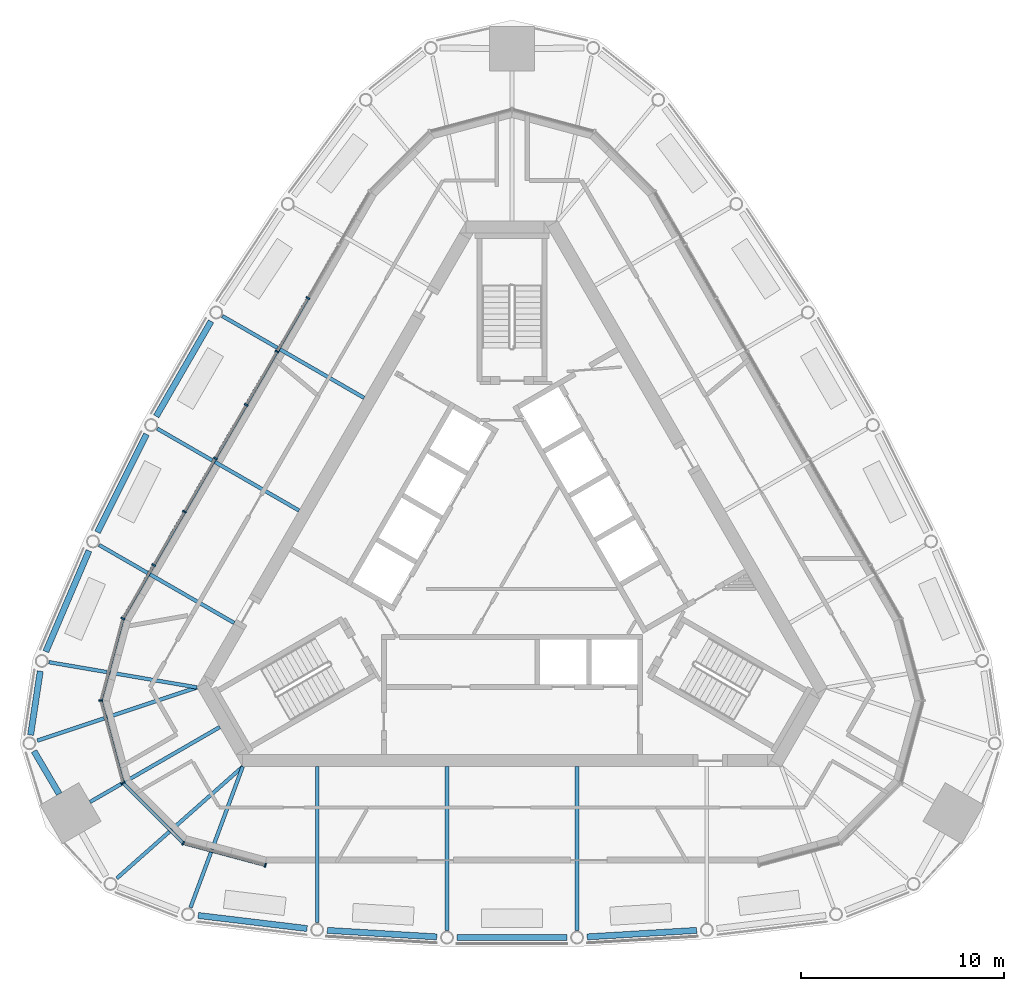
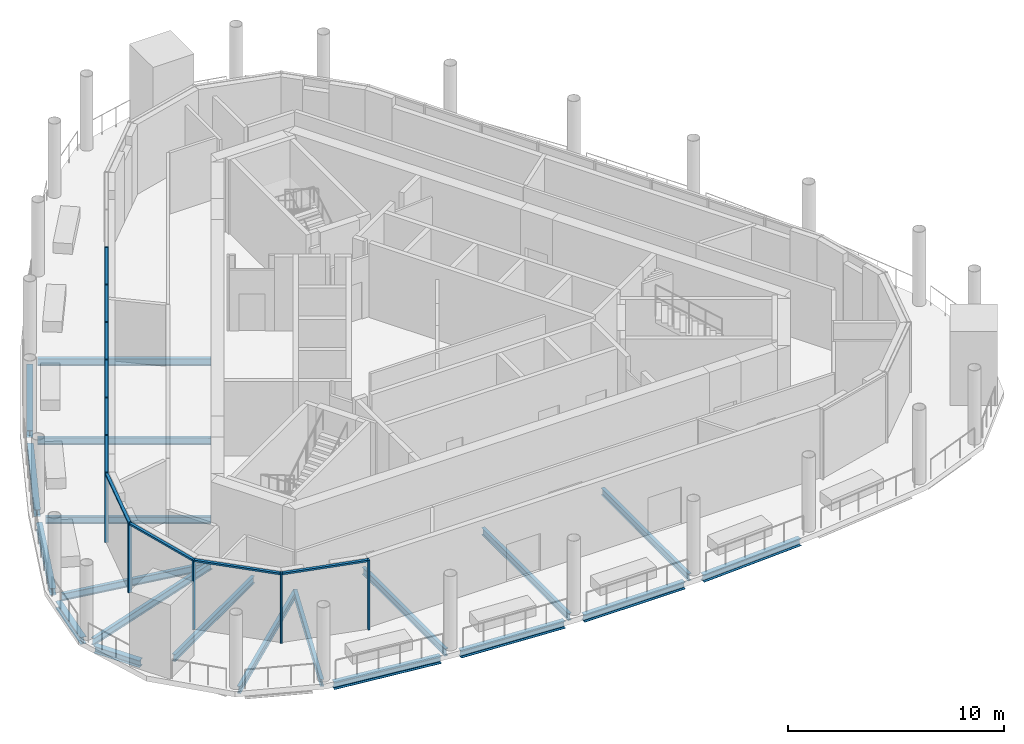
# One storey, part 2 of 15: 21 members, 20 beams, 2 elements without a shape of their own.
"""IFC4 building model written with IfcOpenShell, lengths in metres."""

from ifc_helpers import new_model, si_unit, direction, frame, origin, origin_2d, place, context, subcontext, project, spatial, rectangle, i_section, extrude, material, material_profile, profile_set, type_object, element, aggregate, save


model = new_model("IFC4")

# Units and contexts
model_context = context("Model", 3, precision=1e-05, world=origin(), true_north=direction((0.0, 1.0)))
body_context = subcontext(model_context, "Body", "Model", "MODEL_VIEW")
ifc_project = project(units=[si_unit("LENGTHUNIT", "METRE"), si_unit("AREAUNIT", "SQUARE_METRE"), si_unit("VOLUMEUNIT", "CUBIC_METRE"), si_unit("PLANEANGLEUNIT", "RADIAN"), si_unit("MASSUNIT", "GRAM", prefix="KILO")], contexts=[model_context])

# Site, building, storey
site_placement = place(None, origin())
site = spatial("IfcSite", under=ifc_project, at=site_placement, CompositionType="ELEMENT")
building_placement = place(site_placement, origin())
building = spatial("IfcBuilding", under=site, at=building_placement, Name="Mestral Congress Tower", CompositionType="ELEMENT")
storey_placement = place(building_placement, frame((0.0, 0.0, 327.60009765625)))
storey = spatial("IfcBuildingStorey", under=building, at=storey_placement, Name="L76", CompositionType="ELEMENT", Elevation=327.60009765625)

# Curtain wall, members
ifc_material_1 = material(Name="Glazed ceramic", Category="masonry")
curtain_wall_type = type_object("IfcCurtainWallType", Name="Facade plant louvre screen", PredefinedType="USERDEFINED", material=ifc_material_1)
placement = place(storey_placement, origin())
curtain_wall_1 = element("IfcCurtainWall", 1, at=placement, inside=storey, type_object=curtain_wall_type, Name="Plant louvre screen side 4", ObjectType="CURTAIN WALL", PredefinedType="USERDEFINED")
ifc_material_2 = material(Name="Anodised aluminium", Category="aluminium")
ifc_material_profile_1 = material_profile(ifc_material_2, rectangle(XDim=0.199951171875, YDim=0.080078125, at=origin_2d()), Name="CW6 mullion 200 x 80")
ifc_profile_set_1 = profile_set([ifc_material_profile_1], Name="Anodised aluminium")
member_type_1 = type_object("IfcMemberType", Name="Facade plant louvre screen mullion", PredefinedType="MULLION", material=ifc_profile_set_1)
member_1_placement = place(storey_placement, frame((-10.04248046875, 12.8056640625, 0.0), z_axis=(0.0, 0.0, 1.0), x_axis=(-0.866024531118, 0.500001511499, 0.0)))
member_1 = element("IfcMember", 2, at=member_1_placement, type_object=member_type_1, Name="Facade plant louvre screen mullion", PredefinedType="MULLION", context=body_context, shape_type="SweptSolid", body=[
    extrude(rectangle(XDim=0.199951171875, YDim=0.080078125, at=origin_2d()), origin(), (0.0, 0.0, 1.0), 3.949951171875),
])
member_2_placement = place(storey_placement, frame((-11.559814453125, 10.177978515625, 0.0), z_axis=(0.0, 0.0, 1.0), x_axis=(-0.866024531118, 0.500001511499, 0.0)))
member_2 = element("IfcMember", 3, at=member_2_placement, type_object=member_type_1, Name="Facade plant louvre screen mullion", PredefinedType="MULLION", context=body_context, shape_type="SweptSolid", body=[
    extrude(rectangle(XDim=0.199951171875, YDim=0.080078125, at=origin_2d()), origin(), (0.0, 0.0, 1.0), 3.949951171875),
])
member_3_placement = place(storey_placement, frame((-13.076904296875, 7.550048828125, 0.0), z_axis=(0.0, 0.0, 1.0), x_axis=(-0.866024531118, 0.500001511499, 0.0)))
member_3 = element("IfcMember", 4, at=member_3_placement, type_object=member_type_1, Name="Facade plant louvre screen mullion", PredefinedType="MULLION", context=body_context, shape_type="SweptSolid", body=[
    extrude(rectangle(XDim=0.199951171875, YDim=0.080078125, at=origin_2d()), origin(), (0.0, 0.0, 1.0), 3.949951171875),
])
member_4_placement = place(storey_placement, frame((-14.59423828125, 4.922119140625, 0.0), z_axis=(0.0, 0.0, 1.0), x_axis=(-0.866024531118, 0.500001511499, 0.0)))
member_4 = element("IfcMember", 5, at=member_4_placement, type_object=member_type_1, Name="Facade plant louvre screen mullion", PredefinedType="MULLION", context=body_context, shape_type="SweptSolid", body=[
    extrude(rectangle(XDim=0.199951171875, YDim=0.080078125, at=origin_2d()), origin(), (0.0, 0.0, 1.0), 3.949951171875),
])
member_5_placement = place(storey_placement, frame((-16.111328125, 2.294189453125, 0.0), z_axis=(0.0, 0.0, 1.0), x_axis=(-0.866024531118, 0.500001511499, 0.0)))
member_5 = element("IfcMember", 6, at=member_5_placement, type_object=member_type_1, Name="Facade plant louvre screen mullion", PredefinedType="MULLION", context=body_context, shape_type="SweptSolid", body=[
    extrude(rectangle(XDim=0.199951171875, YDim=0.080078125, at=origin_2d()), origin(), (0.0, 0.0, 1.0), 3.949951171875),
])
member_6_placement = place(storey_placement, frame((-17.628662109375, -0.33349609375, 0.0), z_axis=(0.0, 0.0, 1.0), x_axis=(-0.866024531118, 0.500001511499, 0.0)))
member_6 = element("IfcMember", 7, at=member_6_placement, type_object=member_type_1, Name="Facade plant louvre screen mullion", PredefinedType="MULLION", context=body_context, shape_type="SweptSolid", body=[
    extrude(rectangle(XDim=0.199951171875, YDim=0.080078125, at=origin_2d()), origin(), (0.0, 0.0, 1.0), 3.949951171875),
])
member_7_placement = place(storey_placement, frame((-19.145751953125, -2.96142578125, 0.0), z_axis=(0.0, 0.0, 1.0), x_axis=(-0.866024531118, 0.500001511499, 0.0)))
member_7 = element("IfcMember", 8, at=member_7_placement, type_object=member_type_1, Name="Facade plant louvre screen mullion", PredefinedType="MULLION", context=body_context, shape_type="SweptSolid", body=[
    extrude(rectangle(XDim=0.199951171875, YDim=0.080078125, at=origin_2d()), origin(), (0.0, 0.0, 1.0), 3.949951171875),
])

curtain_wall_2 = element("IfcCurtainWall", 9, at=placement, inside=storey, type_object=curtain_wall_type, Name="Plant louvre screen corner 5", ObjectType="CURTAIN WALL", PredefinedType="USERDEFINED")
member_8_placement = place(storey_placement, frame((-20.227783203125, -7.0, 0.0), z_axis=(0.0, 0.0, 1.0), x_axis=(-1.0, 0.0, 0.0)))
member_8 = element("IfcMember", 10, at=member_8_placement, type_object=member_type_1, Name="Facade plant louvre screen mullion", PredefinedType="MULLION", context=body_context, shape_type="SweptSolid", body=[
    extrude(rectangle(XDim=0.199951171875, YDim=0.080078125, at=origin_2d()), origin(), (0.0, 0.0, 1.0), 3.949951171875),
])
member_9_placement = place(storey_placement, frame((-19.142333984375, -11.0517578125, 0.0), z_axis=(0.0, 0.0, 1.0), x_axis=(-0.866025403784, -0.5, 0.0)))
member_9 = element("IfcMember", 11, at=member_9_placement, type_object=member_type_1, Name="Facade plant louvre screen mullion", PredefinedType="MULLION", context=body_context, shape_type="SweptSolid", body=[
    extrude(rectangle(XDim=0.199951171875, YDim=0.080078125, at=origin_2d()), origin(), (0.0, 0.0, 1.0), 3.949951171875),
])
member_10_placement = place(storey_placement, frame((-16.17626953125, -14.017822265625, 0.0), z_axis=(0.0, 0.0, 1.0), x_axis=(-0.5, -0.866025403784, 0.0)))
member_10 = element("IfcMember", 12, at=member_10_placement, type_object=member_type_1, Name="Facade plant louvre screen mullion", PredefinedType="MULLION", context=body_context, shape_type="SweptSolid", body=[
    extrude(rectangle(XDim=0.199951171875, YDim=0.080078125, at=origin_2d()), origin(), (0.0, 0.0, 1.0), 3.949951171875),
])
member_11_placement = place(storey_placement, frame((-12.1376953125, -15.10009765625, 0.0), z_axis=(0.0, 0.0, 1.0), x_axis=(-0.258819045103, -0.965925826289, 0.0)))
member_11 = element("IfcMember", 13, at=member_11_placement, type_object=member_type_1, Name="Facade plant louvre screen mullion", PredefinedType="MULLION", context=body_context, shape_type="SweptSolid", body=[
    extrude(rectangle(XDim=0.199951171875, YDim=0.080078125, at=origin_2d()), origin(), (0.0, 0.0, 1.0), 3.949951171875),
])

# Member
ifc_material_profile_2 = material_profile(ifc_material_2, rectangle(XDim=0.14990234375, YDim=0.10009765625, at=origin_2d()), Name="CW6 transom 150 x 100")
ifc_profile_set_2 = profile_set([ifc_material_profile_2], Name="Anodised aluminium")
member_type_2 = type_object("IfcMemberType", Name="Facade plant louvre screen transom", PredefinedType="USERDEFINED", material=ifc_profile_set_2)
member_12_placement = place(storey_placement, frame((-10.0625, 12.77099609375, 3.89990234375), z_axis=(-0.50002288008, -0.866012193561, 0.0), x_axis=(0.866012193561, -0.50002288008, 0.0)))
member_12 = element("IfcMember", 14, at=member_12_placement, type_object=member_type_2, Name="Facade plant louvre screen transom", ObjectType="TRANSOM", PredefinedType="USERDEFINED", context=body_context, shape_type="SweptSolid", body=[
    extrude(rectangle(XDim=0.14990234375, YDim=0.10009765625, at=origin_2d()), origin(), (0.0, 0.0, 1.0), 2.954345703125),
])

member_13_placement = place(storey_placement, frame((-11.579833984375, 10.143310546875, 3.89990234375), z_axis=(-0.499960902066, -0.86604797581, 0.0), x_axis=(0.86604797581, -0.499960902066, 0.0)))
member_13 = element("IfcMember", 15, at=member_13_placement, type_object=member_type_2, Name="Facade plant louvre screen transom", ObjectType="TRANSOM", PredefinedType="USERDEFINED", context=body_context, shape_type="SweptSolid", body=[
    extrude(rectangle(XDim=0.14990234375, YDim=0.10009765625, at=origin_2d()), origin(), (0.0, 0.0, 1.0), 2.954345703125),
])

member_14_placement = place(storey_placement, frame((-13.096923828125, 7.515380859375, 3.89990234375), z_axis=(-0.50002288008, -0.866012193561, 0.0), x_axis=(0.866012193561, -0.50002288008, 0.0)))
member_14 = element("IfcMember", 16, at=member_14_placement, type_object=member_type_2, Name="Facade plant louvre screen transom", ObjectType="TRANSOM", PredefinedType="USERDEFINED", context=body_context, shape_type="SweptSolid", body=[
    extrude(rectangle(XDim=0.14990234375, YDim=0.10009765625, at=origin_2d()), origin(), (0.0, 0.0, 1.0), 2.954345703125),
])

member_15_placement = place(storey_placement, frame((-14.6142578125, 4.887451171875, 3.89990234375), z_axis=(-0.499960902066, -0.86604797581, 0.0), x_axis=(0.86604797581, -0.499960902066, 0.0)))
member_15 = element("IfcMember", 17, at=member_15_placement, type_object=member_type_2, Name="Facade plant louvre screen transom", ObjectType="TRANSOM", PredefinedType="USERDEFINED", context=body_context, shape_type="SweptSolid", body=[
    extrude(rectangle(XDim=0.14990234375, YDim=0.10009765625, at=origin_2d()), origin(), (0.0, 0.0, 1.0), 2.954345703125),
])

member_16_placement = place(storey_placement, frame((-16.13134765625, 2.259765625, 3.89990234375), z_axis=(-0.50002288008, -0.866012193561, 0.0), x_axis=(0.866012193561, -0.50002288008, 0.0)))
member_16 = element("IfcMember", 18, at=member_16_placement, type_object=member_type_2, Name="Facade plant louvre screen transom", ObjectType="TRANSOM", PredefinedType="USERDEFINED", context=body_context, shape_type="SweptSolid", body=[
    extrude(rectangle(XDim=0.14990234375, YDim=0.10009765625, at=origin_2d()), origin(), (0.0, 0.0, 1.0), 2.954345703125),
])

member_17_placement = place(storey_placement, frame((-17.648681640625, -0.3681640625, 3.89990234375), z_axis=(-0.499960902066, -0.86604797581, 0.0), x_axis=(0.86604797581, -0.499960902066, 0.0)))
member_17 = element("IfcMember", 19, at=member_17_placement, type_object=member_type_2, Name="Facade plant louvre screen transom", ObjectType="TRANSOM", PredefinedType="USERDEFINED", context=body_context, shape_type="SweptSolid", body=[
    extrude(rectangle(XDim=0.14990234375, YDim=0.10009765625, at=origin_2d()), origin(), (0.0, 0.0, 1.0), 2.954345703125),
])

aggregate(curtain_wall_1, [member_1, member_2, member_3, member_4, member_5, member_6, member_7, member_12, member_13, member_14, member_15, member_16, member_17])

member_18_placement = place(storey_placement, frame((-19.156005859375, -3.0, 3.89990234375), z_axis=(-0.258833286133, -0.965922010304, 0.0), x_axis=(0.965922010304, -0.258833286133, 0.0)))
member_18 = element("IfcMember", 20, at=member_18_placement, type_object=member_type_2, Name="Facade plant louvre screen transom", ObjectType="TRANSOM", PredefinedType="USERDEFINED", context=body_context, shape_type="SweptSolid", body=[
    extrude(rectangle(XDim=0.14990234375, YDim=0.10009765625, at=origin_2d()), origin(), (0.0, 0.0, 1.0), 4.10107421875),
])

member_19_placement = place(storey_placement, frame((-20.217529296875, -7.03857421875, 3.89990234375), z_axis=(0.258807262034, -0.965928983476, 0.0), x_axis=(0.965928983476, 0.258807262034, 0.0)))
member_19 = element("IfcMember", 21, at=member_19_placement, type_object=member_type_2, Name="Facade plant louvre screen transom", ObjectType="TRANSOM", PredefinedType="USERDEFINED", context=body_context, shape_type="SweptSolid", body=[
    extrude(rectangle(XDim=0.14990234375, YDim=0.10009765625, at=origin_2d()), origin(), (0.0, 0.0, 1.0), 4.11474609375),
])

member_20_placement = place(storey_placement, frame((-19.114013671875, -11.080078125, 3.89990234375), z_axis=(0.707136447306, -0.707077113823, 0.0), x_axis=(0.707077113823, 0.707136447306, 0.0)))
member_20 = element("IfcMember", 22, at=member_20_placement, type_object=member_type_2, Name="Facade plant louvre screen transom", ObjectType="TRANSOM", PredefinedType="USERDEFINED", context=body_context, shape_type="SweptSolid", body=[
    extrude(rectangle(XDim=0.14990234375, YDim=0.10009765625, at=origin_2d()), origin(), (0.0, 0.0, 1.0), 4.11474609375),
])

member_21_placement = place(storey_placement, frame((-16.137451171875, -14.0283203125, 3.89990234375), z_axis=(0.965932905177, -0.258792624888, 0.0), x_axis=(0.258792624888, 0.965932905177, 0.0)))
member_21 = element("IfcMember", 23, at=member_21_placement, type_object=member_type_2, Name="Facade plant louvre screen transom", ObjectType="TRANSOM", PredefinedType="USERDEFINED", context=body_context, shape_type="SweptSolid", body=[
    extrude(rectangle(XDim=0.14990234375, YDim=0.10009765625, at=origin_2d()), origin(), (0.0, 0.0, 1.0), 4.100830078125),
])

aggregate(curtain_wall_2, [member_8, member_9, member_10, member_11, member_18, member_19, member_20, member_21])

# Beams
ifc_material_3 = material(Name="Steel S355", Category="steel")
ifc_material_profile_3 = material_profile(ifc_material_3, i_section(OverallWidth=0.179931640625, OverallDepth=0.39990234375, WebThickness=0.008544921875, FlangeThickness=0.013427734375, FilletRadius=0.02099609375, at=origin_2d()), Name="IPE 400")
ifc_profile_set_3 = profile_set([ifc_material_profile_3], Name="Steel S355")
beam_type_1 = type_object("IfcBeamType", Name="Floor beam IPE 400 S355", PredefinedType="BEAM", material=ifc_profile_set_3)
beam_1_placement = place(storey_placement, frame((-15.81787109375, -17.1806640625, -0.5), z_axis=(0.347399345496, 0.937717278687, 0.0), x_axis=(-0.937717278687, 0.347399345496, 0.0)))
element("IfcBeam", 24, at=beam_1_placement, inside=storey, type_object=beam_type_1, Name="BM-L76-RB5-S00", PredefinedType="BEAM", context=body_context, shape_type="SweptSolid", body=[
    extrude(i_section(OverallWidth=0.179931640625, OverallDepth=0.39990234375, WebThickness=0.008544921875, FlangeThickness=0.013427734375, FilletRadius=0.02099609375, at=origin_2d()), origin(), (0.0, 0.0, 1.0), 7.39111328125),
])
beam_2_placement = place(storey_placement, frame((-9.587158203125, -17.92236328125, -0.5), z_axis=(0.0, 1.0, 0.0), x_axis=(-1.0, 0.0, 0.0)))
element("IfcBeam", 25, at=beam_2_placement, inside=storey, type_object=beam_type_1, Name="BM-L76-RB5-S01", PredefinedType="BEAM", context=body_context, shape_type="SweptSolid", body=[
    extrude(i_section(OverallWidth=0.179931640625, OverallDepth=0.39990234375, WebThickness=0.008544921875, FlangeThickness=0.013427734375, FilletRadius=0.02099609375, at=origin_2d()), origin(), (0.0, 0.0, 1.0), 7.67236328125),
])
for number, where, z_axis, x_axis, name in (
    (26, (-3.199462890625, -18.304931640625, -0.5), (0.0, 1.0, 0.0), (-1.0, 0.0, 0.0), "BM-L76-RB5-S02"),
    (27, (3.199462890625, -18.304931640625, -0.5), (0.0, 1.0, 0.0), (-1.0, 0.0, 0.0), "BM-L76-RB5-S03"),
    (28, (-14.2529296875, 11.92333984375, -0.5), (0.866033662086, -0.499985695929, 0.0), (0.499985695929, 0.866033662086, 0.0), "BM-L76-RB5-W02"),
    (29, (-17.452392578125, 6.381591796875, -0.5), (0.866020537834, -0.500008427979, 0.0), (0.500008427979, 0.866020537834, 0.0), "BM-L76-RB5-W03"),
):
    element("IfcBeam", number, at=place(storey_placement, frame(where, z_axis=z_axis, x_axis=x_axis)), inside=storey, type_object=beam_type_1, Name=name, PredefinedType="BEAM", context=body_context, shape_type="SweptSolid", body=[
        extrude(i_section(OverallWidth=0.179931640625, OverallDepth=0.39990234375, WebThickness=0.008544921875, FlangeThickness=0.013427734375, FilletRadius=0.02099609375, at=origin_2d()), origin(), (0.0, 0.0, 1.0), 8.054931640625),
    ])
beam_3_placement = place(storey_placement, frame((-20.314697265625, 0.658447265625, -0.5), z_axis=(0.866019720907, -0.500009842903, 0.0), x_axis=(0.500009842903, 0.866019720907, 0.0)))
element("IfcBeam", 30, at=beam_3_placement, inside=storey, type_object=beam_type_1, Name="BM-L76-RB5-W04", PredefinedType="BEAM", context=body_context, shape_type="SweptSolid", body=[
    extrude(i_section(OverallWidth=0.179931640625, OverallDepth=0.39990234375, WebThickness=0.008544921875, FlangeThickness=0.013427734375, FilletRadius=0.02099609375, at=origin_2d()), origin(), (0.0, 0.0, 1.0), 7.672119140625),
])
beam_4_placement = place(storey_placement, frame((-22.787841796875, -5.1083984375, -0.5), z_axis=(0.985786503242, -0.168002886958, 0.0), x_axis=(0.168002886958, 0.985786503242, 0.0)))
element("IfcBeam", 31, at=beam_4_placement, inside=storey, type_object=beam_type_1, Name="BM-L76-RB5-W05", PredefinedType="BEAM", context=body_context, shape_type="SweptSolid", body=[
    extrude(i_section(OverallWidth=0.179931640625, OverallDepth=0.39990234375, WebThickness=0.008544921875, FlangeThickness=0.013427734375, FilletRadius=0.02099609375, at=origin_2d()), origin(), (0.0, 0.0, 1.0), 7.390869140625),
])
beam_5_placement = place(storey_placement, frame((-23.356689453125, -8.968994140625, -0.5), z_axis=(0.948659706446, 0.316298532031, 0.0), x_axis=(-0.316298532031, 0.948659706446, 0.0)))
element("IfcBeam", 32, at=beam_5_placement, inside=storey, type_object=beam_type_1, Name="BM-L76-RB5-SW1", PredefinedType="BEAM", context=body_context, shape_type="SweptSolid", body=[
    extrude(i_section(OverallWidth=0.179931640625, OverallDepth=0.39990234375, WebThickness=0.008544921875, FlangeThickness=0.013427734375, FilletRadius=0.02099609375, at=origin_2d()), origin(), (0.0, 0.0, 1.0), 8.27978515625),
])
beam_6_placement = place(storey_placement, frame((-20.765625, -11.989013671875, -0.5), z_axis=(0.866031296205, 0.499989793889, 0.0), x_axis=(-0.499989793889, 0.866031296205, 0.0)))
element("IfcBeam", 33, at=beam_6_placement, inside=storey, type_object=beam_type_1, Name="BM-L76-RB5-SW", PredefinedType="BEAM", context=body_context, shape_type="SweptSolid", body=[
    extrude(i_section(OverallWidth=0.179931640625, OverallDepth=0.39990234375, WebThickness=0.008544921875, FlangeThickness=0.013427734375, FilletRadius=0.02099609375, at=origin_2d()), origin(), (0.0, 0.0, 1.0), 7.378173828125),
])
beam_7_placement = place(storey_placement, frame((-19.44580078125, -15.742919921875, -0.5), z_axis=(0.74826277439, 0.663402457383, 0.0), x_axis=(-0.663402457383, 0.74826277439, 0.0)))
element("IfcBeam", 34, at=beam_7_placement, inside=storey, type_object=beam_type_1, Name="BM-L76-RB5-SW3", PredefinedType="BEAM", context=body_context, shape_type="SweptSolid", body=[
    extrude(i_section(OverallWidth=0.179931640625, OverallDepth=0.39990234375, WebThickness=0.008544921875, FlangeThickness=0.013427734375, FilletRadius=0.02099609375, at=origin_2d()), origin(), (0.0, 0.0, 1.0), 8.280029296875),
])
ifc_material_profile_4 = material_profile(ifc_material_3, i_section(OverallWidth=0.300048828125, OverallDepth=0.389892578125, WebThickness=0.010986328125, FlangeThickness=0.01904296875, FilletRadius=0.027099609375, at=origin_2d()), Name="HEA 400")
ifc_profile_set_4 = profile_set([ifc_material_profile_4], Name="Steel S355")
beam_type_2 = type_object("IfcBeamType", Name="Spandrel beam HEA 400 S355", PredefinedType="BEAM", material=ifc_profile_set_4)
beam_8_placement = place(storey_placement, frame((-15.44189453125, -17.57177734375, -0.4951171875), z_axis=(0.992890319222, -0.119032827389, 0.0), x_axis=(0.119032827389, 0.992890319222, 0.0)))
element("IfcBeam", 35, at=beam_8_placement, inside=storey, type_object=beam_type_2, Name="SP-L76-SB5-S00", PredefinedType="BEAM", context=body_context, shape_type="SweptSolid", body=[
    extrude(i_section(OverallWidth=0.300048828125, OverallDepth=0.389892578125, WebThickness=0.010986328125, FlangeThickness=0.01904296875, FilletRadius=0.027099609375, at=origin_2d()), origin(), (0.0, 0.0, 1.0), 5.396240234375),
])
beam_9_placement = place(storey_placement, frame((-9.087890625, -18.303466796875, -0.4951171875), z_axis=(0.998219522722, -0.059647166371, 0.0), x_axis=(0.059647166371, 0.998219522722, 0.0)))
element("IfcBeam", 36, at=beam_9_placement, inside=storey, type_object=beam_type_2, Name="SP-L76-SB5-S01", PredefinedType="BEAM", context=body_context, shape_type="SweptSolid", body=[
    extrude(i_section(OverallWidth=0.300048828125, OverallDepth=0.389892578125, WebThickness=0.010986328125, FlangeThickness=0.01904296875, FilletRadius=0.027099609375, at=origin_2d()), origin(), (0.0, 0.0, 1.0), 5.398681640625),
])
beam_10_placement = place(storey_placement, frame((-2.69921875, -18.6552734375, -0.4951171875), z_axis=(1.0, 0.0, 0.0), x_axis=(0.0, 1.0, 0.0)))
element("IfcBeam", 37, at=beam_10_placement, inside=storey, type_object=beam_type_2, Name="SP-L76-SB5-S02", PredefinedType="BEAM", context=body_context, shape_type="SweptSolid", body=[
    extrude(i_section(OverallWidth=0.300048828125, OverallDepth=0.389892578125, WebThickness=0.010986328125, FlangeThickness=0.01904296875, FilletRadius=0.027099609375, at=origin_2d()), origin(), (0.0, 0.0, 1.0), 5.3984375),
])
for number, where, z_axis, x_axis, name in (
    (38, (3.69873046875, -18.62548828125, -0.4951171875), (0.998219522722, 0.059647166371, 0.0), (-0.059647166371, 0.998219522722, 0.0), "SP-L76-SB5-S03"),
    (39, (-14.80615234375, 11.665283203125, -0.4951171875), (-0.500025177812, -0.86601086688, 0.0), (0.86601086688, -0.500025177812, 0.0), "SP-L76-SB5-W02"),
):
    element("IfcBeam", number, at=place(storey_placement, frame(where, z_axis=z_axis, x_axis=x_axis)), inside=storey, type_object=beam_type_2, Name=name, PredefinedType="BEAM", context=body_context, shape_type="SweptSolid", body=[
        extrude(i_section(OverallWidth=0.300048828125, OverallDepth=0.389892578125, WebThickness=0.010986328125, FlangeThickness=0.01904296875, FilletRadius=0.027099609375, at=origin_2d()), origin(), (0.0, 0.0, 1.0), 5.398681640625),
    ])
beam_11_placement = place(storey_placement, frame((-17.9794921875, 6.109375, -0.4951171875), z_axis=(-0.44748491494, -0.894291479832, 0.0), x_axis=(0.894291479832, -0.44748491494, 0.0)))
element("IfcBeam", 40, at=beam_11_placement, inside=storey, type_object=beam_type_2, Name="SP-L76-SB5-W03", PredefinedType="BEAM", context=body_context, shape_type="SweptSolid", body=[
    extrude(i_section(OverallWidth=0.300048828125, OverallDepth=0.389892578125, WebThickness=0.010986328125, FlangeThickness=0.01904296875, FilletRadius=0.027099609375, at=origin_2d()), origin(), (0.0, 0.0, 1.0), 5.3984375),
])
beam_12_placement = place(storey_placement, frame((-20.815673828125, 0.374267578125, -0.4951171875), z_axis=(-0.393367759324, -0.919381208164, 0.0), x_axis=(0.919381208164, -0.393367759324, 0.0)))
element("IfcBeam", 41, at=beam_12_placement, inside=storey, type_object=beam_type_2, Name="SP-L76-SB5-W04", PredefinedType="BEAM", context=body_context, shape_type="SweptSolid", body=[
    extrude(i_section(OverallWidth=0.300048828125, OverallDepth=0.389892578125, WebThickness=0.010986328125, FlangeThickness=0.01904296875, FilletRadius=0.027099609375, at=origin_2d()), origin(), (0.0, 0.0, 1.0), 5.396484375),
])
beam_13_placement = place(storey_placement, frame((-23.211669921875, -5.549560546875, -0.4951171875), z_axis=(-0.149402818736, -0.98877641444, 0.0), x_axis=(0.98877641444, -0.149402818736, 0.0)))
element("IfcBeam", 42, at=beam_13_placement, inside=storey, type_object=beam_type_2, Name="SP-L76-SB5-W05", PredefinedType="BEAM", context=body_context, shape_type="SweptSolid", body=[
    extrude(i_section(OverallWidth=0.300048828125, OverallDepth=0.389892578125, WebThickness=0.010986328125, FlangeThickness=0.01904296875, FilletRadius=0.027099609375, at=origin_2d()), origin(), (0.0, 0.0, 1.0), 3.179931640625),
])
beam_14_placement = place(storey_placement, frame((-23.521240234375, -9.483642578125, -0.4951171875), z_axis=(0.508218412694, -0.861228218882, 0.0), x_axis=(0.861228218882, 0.508218412694, 0.0)))
element("IfcBeam", 43, at=beam_14_placement, inside=storey, type_object=beam_type_2, Name="SP-L76-SB5-SW1", PredefinedType="BEAM", context=body_context, shape_type="SweptSolid", body=[
    extrude(i_section(OverallWidth=0.300048828125, OverallDepth=0.389892578125, WebThickness=0.010986328125, FlangeThickness=0.01904296875, FilletRadius=0.027099609375, at=origin_2d()), origin(), (0.0, 0.0, 1.0), 2.447509765625),
])

save(model, "model.ifc")
